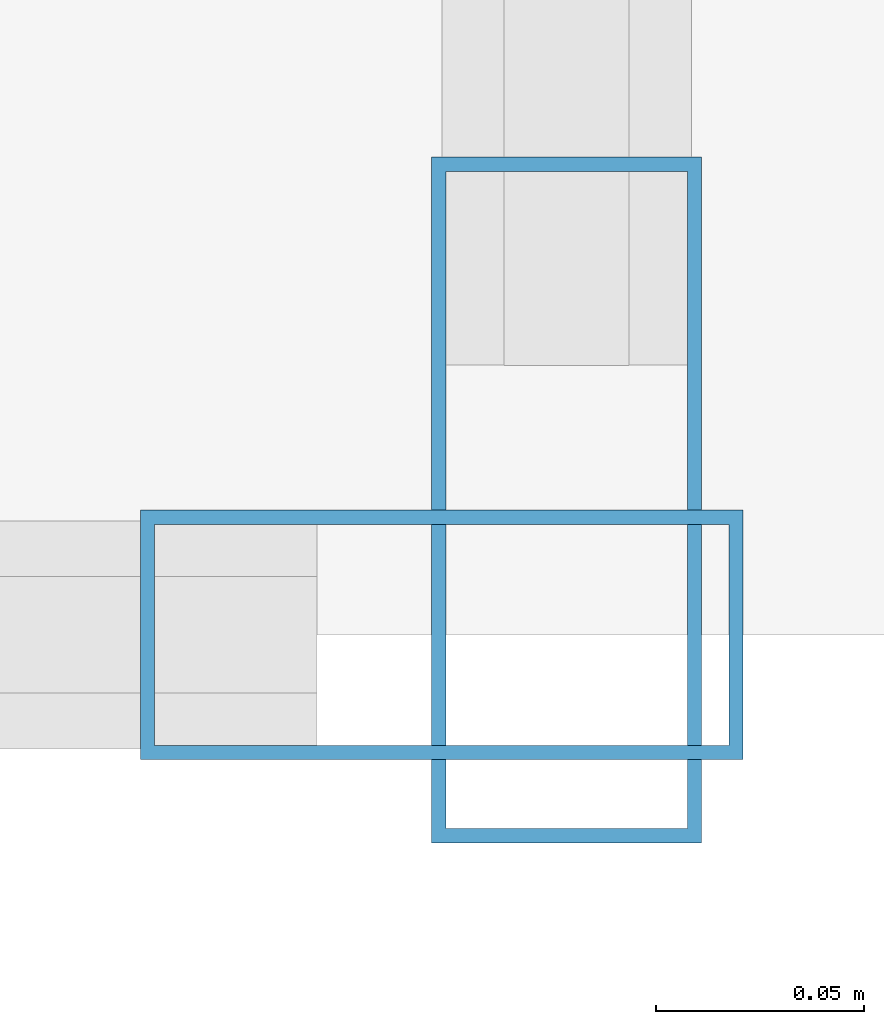
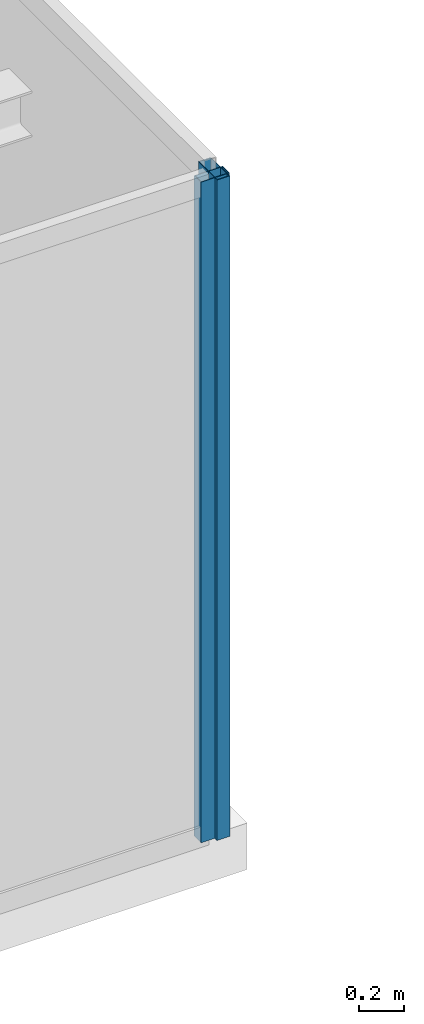
# One storey, part 18 of 33: 2 members, 2 elements without a shape of their own.
"""IFC4 building model written with IfcOpenShell, lengths in metres."""

import ifcopenshell
import ifcopenshell.guid

model = None  # the IFC model being written
_history = None  # IfcOwnerHistory: only IFC2X3 demands one
_inside = {}  # id of a spatial element -> (the spatial element, [elements in it])
_under = {}  # id of a project, library or spatial element -> (it, [spatial elements below it])
_declared = {}  # id of a project -> (the project, [libraries it declares])
_typed = {}  # id of a type object -> (the type object, [elements of that type])
_made_of = {}  # id of a material, layer set ... -> (it, [elements and type objects made of it])


def new_model(schema):
    """Start an empty IFC model of exactly this schema.

    Asked for "IFC4X3", IfcOpenShell would pick the latest addendum, in which some entities
    have other attributes; the version numbers below select the first issue.
    IFC2X3 requires an IfcOwnerHistory on every rooted entity: one is made here for all.
    """
    global model, _history
    if schema == "IFC4X3":
        model = ifcopenshell.file(schema_version=(4, 3, 0, 0))
    else:
        model = ifcopenshell.file(schema=schema)
    _inside.clear()
    _under.clear()
    _declared.clear()
    _typed.clear()
    _made_of.clear()
    _history = None
    if model.schema == "IFC2X3":
        org = make("IfcOrganization", Name="unknown")
        user = make(
            "IfcPersonAndOrganization",
            ThePerson=make("IfcPerson", FamilyName="unknown"),
            TheOrganization=org,
        )
        app = make(
            "IfcApplication",
            ApplicationDeveloper=org,
            Version="unknown",
            ApplicationFullName="unknown",
            ApplicationIdentifier="unknown",
        )
        _history = make(
            "IfcOwnerHistory",
            OwningUser=user,
            OwningApplication=app,
            ChangeAction="ADDED",
            CreationDate=0,
        )
    return model


def make(cls, **values):
    """One entity of the class cls with the attributes given. An attribute that is None is left unset."""
    return model.create_entity(
        cls, **{name: value for name, value in values.items() if value is not None}
    )


def rooted(cls, **values):
    """An entity with a GlobalId (a new one), such as an element, a storey or a relation."""
    return make(cls, GlobalId=ifcopenshell.guid.new(), OwnerHistory=_history, **values)


def si_unit(unit_type, name, prefix=None):
    """IfcSIUnit, for example si_unit("LENGTHUNIT", "METRE", prefix="MILLI")."""
    return make("IfcSIUnit", UnitType=unit_type, Prefix=prefix, Name=name)


def assignment(units):
    """IfcUnitAssignment: the units of a project."""
    return None if units is None else make("IfcUnitAssignment", Units=units)


def point(xyz):
    """IfcCartesianPoint."""
    return None if xyz is None else make("IfcCartesianPoint", Coordinates=xyz)


def direction(xyz):
    """IfcDirection."""
    return None if xyz is None else make("IfcDirection", DirectionRatios=xyz)


def frame(location, z_axis=None, x_axis=None):
    """IfcAxis2Placement3D, a coordinate frame: its origin and axes. An axis left out is left unset."""
    return make(
        "IfcAxis2Placement3D",
        Location=point(location),
        Axis=direction(z_axis),
        RefDirection=direction(x_axis),
    )


def frame_2d(location, x_axis=None):
    """IfcAxis2Placement2D, a coordinate frame in the plane: its origin and x axis."""
    return make(
        "IfcAxis2Placement2D", Location=point(location), RefDirection=direction(x_axis)
    )


def origin():
    """The frame at (0, 0, 0) with its axes left unset."""
    return frame((0.0, 0.0, 0.0))


def origin_2d():
    """The frame at (0, 0) in the plane with its x axis left unset."""
    return frame_2d((0.0, 0.0))


def place(relative_to, where):
    """IfcLocalPlacement: puts the frame where relative to a parent placement (None: the world)."""
    return make(
        "IfcLocalPlacement", PlacementRelTo=relative_to, RelativePlacement=where
    )


def context(
    kind, dimensions, precision=None, world=None, true_north=None, identifier=None
):
    """IfcGeometricRepresentationContext, for example the 3D "Model" context."""
    return make(
        "IfcGeometricRepresentationContext",
        ContextIdentifier=identifier,
        ContextType=kind,
        CoordinateSpaceDimension=dimensions,
        Precision=precision,
        WorldCoordinateSystem=world,
        TrueNorth=true_north,
    )


def subcontext(parent, identifier, kind, view, scale=None):
    """IfcGeometricRepresentationSubContext, for example "Body" below "Model"."""
    return make(
        "IfcGeometricRepresentationSubContext",
        ContextIdentifier=identifier,
        ContextType=kind,
        ParentContext=parent,
        TargetScale=scale,
        TargetView=view,
    )


def project(units=None, contexts=None):
    """IfcProject with its units and contexts."""
    return rooted(
        "IfcProject",
        Name="project",
        RepresentationContexts=contexts,
        UnitsInContext=assignment(units),
    )


def spatial(cls, under=None, at=None, **own):
    """A site, building, storey or space (cls), placed at a placement, below another one or the project."""
    s = rooted(cls, ObjectPlacement=at, **own)
    if under is not None:
        _under.setdefault(under.id(), (under, []))[1].append(s)
    return s


def profile(cls, at=None, kind="AREA", **sizes):
    """A parametric profile (cls). Its sizes go by their IFC names, for example OverallWidth=200.0."""
    return make(cls, ProfileType=kind, Position=at, **sizes)


def hollow_rectangle(**sizes):
    """IfcRectangleHollowProfileDef."""
    return profile("IfcRectangleHollowProfileDef", **sizes)


def extrude(swept, where, along, depth):
    """IfcExtrudedAreaSolid: the profile swept, set in the frame where, extruded along a direction by depth."""
    return make(
        "IfcExtrudedAreaSolid",
        SweptArea=swept,
        Position=where,
        ExtrudedDirection=direction(along),
        Depth=depth,
    )


def shape(context_of_items, identifier, shape_type, items):
    """IfcShapeRepresentation: the items that make up one representation, for example the "Body"."""
    return make(
        "IfcShapeRepresentation",
        ContextOfItems=context_of_items,
        RepresentationIdentifier=identifier,
        RepresentationType=shape_type,
        Items=items,
    )


def source(mapping_origin, context_of_items, identifier, shape_type, items):
    """IfcRepresentationMap: a shape defined once, which mapped items show again and again."""
    return make(
        "IfcRepresentationMap",
        MappingOrigin=mapping_origin,
        MappedRepresentation=shape(context_of_items, identifier, shape_type, items),
    )


def transform(
    local_origin,
    x_axis=None,
    y_axis=None,
    z_axis=None,
    scale=None,
    scale2=None,
    scale3=None,
    uniform=True,
):
    """IfcCartesianTransformationOperator3D, or its non-uniform kind. x_axis, y_axis, z_axis: its Axis1, 2, 3."""
    if uniform:
        return make(
            "IfcCartesianTransformationOperator3D",
            Axis1=direction(x_axis),
            Axis2=direction(y_axis),
            LocalOrigin=point(local_origin),
            Scale=scale,
            Axis3=direction(z_axis),
        )
    return make(
        "IfcCartesianTransformationOperator3DnonUniform",
        Axis1=direction(x_axis),
        Axis2=direction(y_axis),
        LocalOrigin=point(local_origin),
        Scale=scale,
        Axis3=direction(z_axis),
        Scale2=scale2,
        Scale3=scale3,
    )


def mapped(mapping_source, mapping_target):
    """IfcMappedItem: shows the shape of a source again, moved by a transform."""
    return make(
        "IfcMappedItem", MappingSource=mapping_source, MappingTarget=mapping_target
    )


def material(Name=None, Category=None):
    """IfcMaterial."""
    return make("IfcMaterial", Name=Name, Category=Category)


def layer(
    of_material, thickness, ventilated=None, Name=None, Category=None, Priority=None
):
    """IfcMaterialLayer: one layer of a wall or slab, of a material (None: an air gap)."""
    return make(
        "IfcMaterialLayer",
        Material=of_material,
        LayerThickness=thickness,
        IsVentilated=ventilated,
        Name=Name,
        Category=Category,
        Priority=Priority,
    )


def layer_set(layers, Name=None):
    """IfcMaterialLayerSet."""
    return make("IfcMaterialLayerSet", MaterialLayers=layers, LayerSetName=Name)


def material_profile(
    of_material, cross_section, Name=None, Category=None, Priority=None
):
    """IfcMaterialProfile: a cross section and its material."""
    return make(
        "IfcMaterialProfile",
        Name=Name,
        Material=of_material,
        Profile=cross_section,
        Priority=Priority,
        Category=Category,
    )


def profile_set(profiles, Name=None, composite=None):
    """IfcMaterialProfileSet."""
    return make(
        "IfcMaterialProfileSet",
        Name=Name,
        MaterialProfiles=profiles,
        CompositeProfile=composite,
    )


def made_of(thing, what):
    """Note that an element or type object is made of a material, layer set ...; save() writes the relation."""
    if what is not None:
        _made_of.setdefault(what.id(), (what, []))[1].append(thing)
    return thing


def type_object(cls, material=None, **own):
    """A type object (cls), such as IfcWallType, which elements share."""
    return made_of(rooted(cls, **own), material)


def type_shapes(of_type, sources):
    """Give a type object the sources (RepresentationMaps) that its elements show as mapped items."""
    of_type.RepresentationMaps = sources


def element(
    cls,
    number,
    at=None,
    inside=None,
    cuts=None,
    type_object=None,
    material=None,
    context=None,
    identifier="Body",
    shape_type=None,
    held_by="IfcProductDefinitionShape",
    body=None,
    shapes=None,
    **own,
):
    """One element of the class cls, such as IfcWall. Its Tag is "e" and its number.

    at: its placement. inside: the storey or other place that contains it. cuts: it is an
    opening in that element (IfcRelVoidsElement). A single representation is given by context,
    identifier, shape_type and body (its items); several are given by shapes. held_by: the class
    of the entity that holds the representations. save() writes the other relations.
    """
    e = rooted(cls, Tag="e%d" % number, ObjectPlacement=at, **own)
    if body is not None:
        shapes = [shape(context, identifier, shape_type, body)]
    if shapes is not None:
        e.Representation = make(held_by, Representations=shapes)
    if inside is not None:
        _inside.setdefault(inside.id(), (inside, []))[1].append(e)
    if cuts is not None:
        rooted(
            "IfcRelVoidsElement", RelatingBuildingElement=cuts, RelatedOpeningElement=e
        )
    if type_object is not None:
        _typed.setdefault(type_object.id(), (type_object, []))[1].append(e)
    return made_of(e, material)


def aggregate(whole, parts):
    """IfcRelAggregates: a whole, such as a stair, and the parts it consists of."""
    return rooted("IfcRelAggregates", RelatingObject=whole, RelatedObjects=parts)


def save(model, path):
    """Write the relations noted so far, then the file.

    IfcRelAggregates (storeys below a building ...), IfcRelContainedInSpatialStructure (elements
    in a storey), IfcRelDefinesByType, IfcRelAssociatesMaterial and IfcRelDeclares: one each for
    every whole, place, type object, material and project.
    """
    for whole, parts in _under.values():
        aggregate(whole, parts)
    for where, things in _inside.values():
        rooted(
            "IfcRelContainedInSpatialStructure",
            RelatedElements=things,
            RelatingStructure=where,
        )
    for kind, things in _typed.values():
        rooted("IfcRelDefinesByType", RelatedObjects=things, RelatingType=kind)
    for what, things in _made_of.values():
        rooted("IfcRelAssociatesMaterial", RelatedObjects=things, RelatingMaterial=what)
    for by, libraries in _declared.values():
        rooted("IfcRelDeclares", RelatingContext=by, RelatedDefinitions=libraries)
    model.write(path)


model = new_model("IFC4")

# Units and contexts
model_context = context("Model", 3, precision=1e-05, world=origin(), true_north=direction((0.0, 1.0)))
body_context = subcontext(model_context, "Body", "Model", "MODEL_VIEW")
ifc_project = project(units=[si_unit("LENGTHUNIT", "METRE"), si_unit("AREAUNIT", "SQUARE_METRE"), si_unit("VOLUMEUNIT", "CUBIC_METRE"), si_unit("PLANEANGLEUNIT", "RADIAN"), si_unit("MASSUNIT", "GRAM", prefix="KILO")], contexts=[model_context])

# Site, building, storey
site_placement = place(None, origin())
site = spatial("IfcSite", under=ifc_project, at=site_placement, CompositionType="ELEMENT")
building_placement = place(site_placement, origin())
building = spatial("IfcBuilding", under=site, at=building_placement, Name="Varnel Quay Broadcast Tower", CompositionType="ELEMENT")
storey_placement = place(building_placement, frame((0.0, 0.0, 199.800048828125)))
storey = spatial("IfcBuildingStorey", under=building, at=storey_placement, Name="L49", CompositionType="ELEMENT", Elevation=199.800048828125)

# Curtain wall, member
ifc_material = material(Name="Anodised Bronze Aluminium 6063-T6", Category="aluminium")
ifc_layer_1 = layer(ifc_material, 0.18994140625, Name="Anodised Bronze Aluminium 6063-T6")
ifc_layer_set_1 = layer_set([ifc_layer_1], Name="Anodised Bronze Aluminium 6063-T6")
curtain_wall_type_1 = type_object("IfcCurtainWallType", Name="CW_NotchCorner", PredefinedType="NOTDEFINED", material=ifc_layer_set_1)
curtain_wall_1_placement = place(storey_placement, origin())
curtain_wall_1 = element("IfcCurtainWall", 1, at=curtain_wall_1_placement, inside=storey, type_object=curtain_wall_type_1, Name="L49 SE Notch Curtain Wall", PredefinedType="NOTDEFINED")
ifc_material_profile_1 = material_profile(ifc_material, hollow_rectangle(XDim=0.06005859375, YDim=0.14501953125, WallThickness=0.00341796875, at=origin_2d()), Name="ALU60X145X3.5")
ifc_profile_set_1 = profile_set([ifc_material_profile_1], Name="Anodised Bronze Aluminium 6063-T6")
member_type_1 = type_object("IfcMemberType", Name="Mull_CWS-04", PredefinedType="MULLION", material=ifc_profile_set_1)
shared_shape_1 = source(origin(), body_context, "Body", "SweptSolid", [
    extrude(hollow_rectangle(XDim=0.06005859375, YDim=0.14501953125, WallThickness=0.00341796875, at=origin_2d()), origin(), (0.0, 0.0, 1.0), 3.550048828125),
])
type_shapes(member_type_1, [shared_shape_1])
member_1_placement = place(storey_placement, frame((58.320068359375, 13.60009765625, 0.0), z_axis=(0.0, 0.0, 1.0), x_axis=(0.0, 1.0, 0.0)))
member_1 = element("IfcMember", 2, at=member_1_placement, type_object=member_type_1, Name="CWS-04 mullion 2", PredefinedType="MULLION", context=body_context, shape_type="MappedRepresentation", body=[
    mapped(shared_shape_1, transform((0.0, 0.0, 0.0), x_axis=(1.0, 0.0, 0.0), y_axis=(0.0, 1.0, 0.0), z_axis=(0.0, 0.0, 1.0), scale=1.0)),
])
aggregate(curtain_wall_1, [member_1])

ifc_layer_2 = layer(ifc_material, 0.18994140625, Name="Anodised Bronze Aluminium 6063-T6")
ifc_layer_set_2 = layer_set([ifc_layer_2], Name="Anodised Bronze Aluminium 6063-T6")
curtain_wall_type_2 = type_object("IfcCurtainWallType", Name="CW_UpperTower", PredefinedType="NOTDEFINED", material=ifc_layer_set_2)
curtain_wall_2_placement = place(storey_placement, origin())
curtain_wall_2 = element("IfcCurtainWall", 3, at=curtain_wall_2_placement, inside=storey, type_object=curtain_wall_type_2, Name="L49 East Unitised Curtain Wall", PredefinedType="NOTDEFINED")
ifc_material_profile_2 = material_profile(ifc_material, hollow_rectangle(XDim=0.06494140625, YDim=0.1650390625, WallThickness=0.00341796875, at=origin_2d()), Name="ALU65X165X3.5")
ifc_profile_set_2 = profile_set([ifc_material_profile_2], Name="Anodised Bronze Aluminium 6063-T6")
member_type_2 = type_object("IfcMemberType", Name="Mull_CWS-03", PredefinedType="MULLION", material=ifc_profile_set_2)
shared_shape_2 = source(origin(), body_context, "Body", "SweptSolid", [
    extrude(hollow_rectangle(XDim=0.06494140625, YDim=0.1650390625, WallThickness=0.00341796875, at=origin_2d()), origin(), (0.0, 0.0, 1.0), 3.550048828125),
])
type_shapes(member_type_2, [shared_shape_2])
member_2_placement = place(storey_placement, frame((58.35009765625, 13.632568359375, 0.0), z_axis=(0.0, 0.0, 1.0), x_axis=(-1.0, 0.0, 0.0)))
member_2 = element("IfcMember", 4, at=member_2_placement, type_object=member_type_2, Name="CWS-03 mullion 1", PredefinedType="MULLION", context=body_context, shape_type="MappedRepresentation", body=[
    mapped(shared_shape_2, transform((0.0, 0.0, 0.0), x_axis=(1.0, 0.0, 0.0), y_axis=(0.0, 1.0, 0.0), z_axis=(0.0, 0.0, 1.0), scale=1.0)),
])
aggregate(curtain_wall_2, [member_2])

save(model, "model.ifc")
